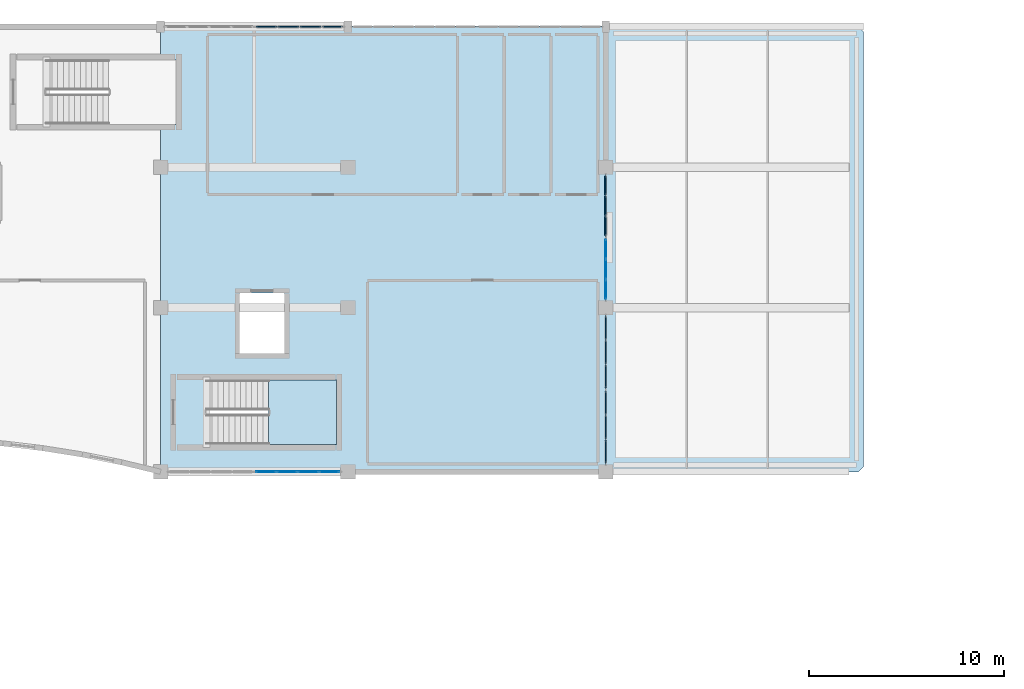
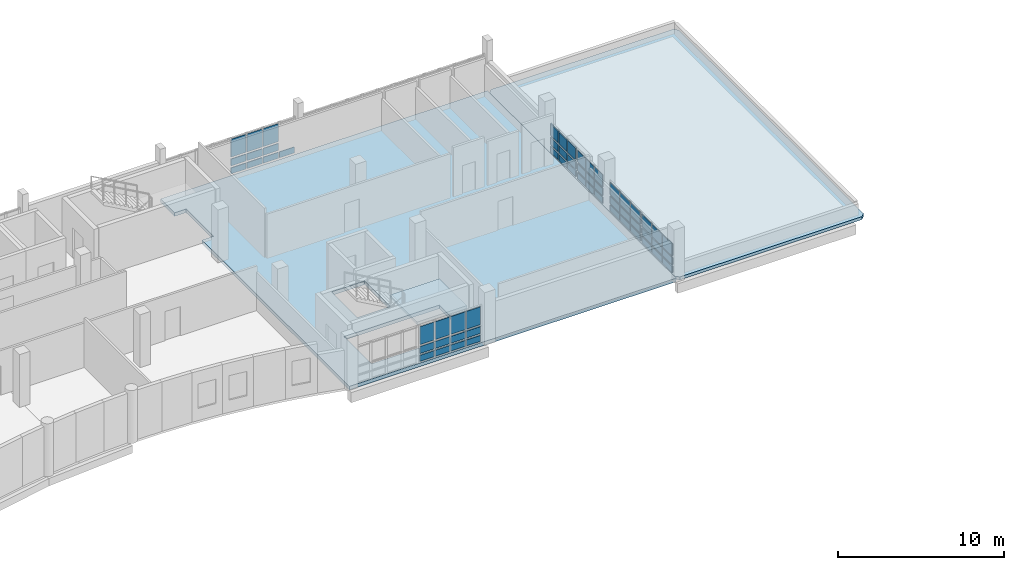
# One storey, part 168 of 188: 58 plates, 3 slabs, 7 elements without a shape of their own.
"""IFC4 building model written with IfcOpenShell, lengths in metres."""

from ifc_helpers import new_model, si_unit, direction, frame, origin, origin_2d, place, context, subcontext, project, spatial, polyline, rectangle, outline, extrude, material, layer, layer_set, type_object, element, aggregate, save


model = new_model("IFC4")

# Units and contexts
model_context = context("Model", 3, precision=1e-05, world=origin(), true_north=direction((0.0, 1.0)))
body_context = subcontext(model_context, "Body", "Model", "MODEL_VIEW")
ifc_project = project(units=[si_unit("LENGTHUNIT", "METRE"), si_unit("AREAUNIT", "SQUARE_METRE"), si_unit("VOLUMEUNIT", "CUBIC_METRE"), si_unit("PLANEANGLEUNIT", "RADIAN"), si_unit("MASSUNIT", "GRAM", prefix="KILO")], contexts=[model_context])

# Site, building, storey
site_placement = place(None, origin())
site = spatial("IfcSite", under=ifc_project, at=site_placement, CompositionType="ELEMENT")
building_placement = place(site_placement, origin())
building = spatial("IfcBuilding", under=site, at=building_placement, Name="Kisaragi Civic Commons", CompositionType="ELEMENT")
storey_placement = place(building_placement, frame((0.0, 0.0, 9.60009765625)))
storey = spatial("IfcBuildingStorey", under=building, at=storey_placement, Name="L02", CompositionType="ELEMENT", Elevation=9.60009765625)

# Curtain wall, plates
ifc_material_1 = material(Name="Thermally broken anodized aluminium and low-E double glazing", Category="aluminium")
ifc_layer_1 = layer(ifc_material_1, 0.179931640625, Name="Thermally broken anodized aluminium and low-E double glazing", Category="aluminium")
ifc_layer_set_1 = layer_set([ifc_layer_1], Name="Thermally broken anodized aluminium and low-E double glazing")
curtain_wall_type = type_object("IfcCurtainWallType", Name="CW-01", PredefinedType="NOTDEFINED", material=ifc_layer_set_1)
curtain_wall_1_placement = place(storey_placement, origin())
curtain_wall_1 = element("IfcCurtainWall", 1, at=curtain_wall_1_placement, inside=storey, type_object=curtain_wall_type, Name="L02 curtain wall CW-01 CW-V4-L02-090", PredefinedType="NOTDEFINED")
ifc_layer_2 = layer(ifc_material_1, 0.0439453125, Name="Thermally broken anodized aluminium and low-E double glazing", Category="aluminium")
ifc_layer_set_2 = layer_set([ifc_layer_2], Name="Thermally broken anodized aluminium and low-E double glazing")
plate_type_1 = type_object("IfcPlateType", Name="CWP-01", PredefinedType="CURTAIN_PANEL", material=ifc_layer_set_2)
plate_1_placement = place(storey_placement, frame((146.39990234375, 107.41552734375, 0.139892578125), z_axis=(0.0, 0.0, 1.0), x_axis=(0.0, -1.0, 0.0)))
plate_1 = element("IfcPlate", 2, at=plate_1_placement, type_object=plate_type_1, Name="CW-01 panel 1.1", PredefinedType="CURTAIN_PANEL", context=body_context, shape_type="SweptSolid", body=[
    extrude(rectangle(XDim=0.959228515625, YDim=0.0439453125, at=origin_2d()), origin(), (0.0, 0.0, 1.0), 0.43994140625),
])
plate_2_placement = place(storey_placement, frame((146.39990234375, 107.41552734375, 0.7197265625), z_axis=(0.0, 0.0, 1.0), x_axis=(0.0, -1.0, 0.0)))
plate_2 = element("IfcPlate", 3, at=plate_2_placement, type_object=plate_type_1, Name="CW-01 panel 1.2", PredefinedType="CURTAIN_PANEL", context=body_context, shape_type="SweptSolid", body=[
    extrude(rectangle(XDim=0.959228515625, YDim=0.0439453125, at=origin_2d()), origin(), (0.0, 0.0, 1.0), 0.510009765625),
])
plate_3_placement = place(storey_placement, frame((146.39990234375, 107.41552734375, 1.369873046875), z_axis=(0.0, 0.0, 1.0), x_axis=(0.0, -1.0, 0.0)))
plate_3 = element("IfcPlate", 4, at=plate_3_placement, type_object=plate_type_1, Name="CW-01 panel 1.3", PredefinedType="CURTAIN_PANEL", context=body_context, shape_type="SweptSolid", body=[
    extrude(rectangle(XDim=0.959228515625, YDim=0.0439453125, at=origin_2d()), origin(), (0.0, 0.0, 1.0), 0.8701171875),
])
plate_4_placement = place(storey_placement, frame((146.39990234375, 106.375, 0.139892578125), z_axis=(0.0, 0.0, 1.0), x_axis=(0.0, -1.0, 0.0)))
plate_4 = element("IfcPlate", 5, at=plate_4_placement, type_object=plate_type_1, Name="CW-01 panel 2.1", PredefinedType="CURTAIN_PANEL", context=body_context, shape_type="SweptSolid", body=[
    extrude(rectangle(XDim=0.99169921875, YDim=0.0439453125, at=origin_2d()), origin(), (0.0, 0.0, 1.0), 0.43994140625),
])
plate_5_placement = place(storey_placement, frame((146.39990234375, 106.375, 0.7197265625), z_axis=(0.0, 0.0, 1.0), x_axis=(0.0, -1.0, 0.0)))
plate_5 = element("IfcPlate", 6, at=plate_5_placement, type_object=plate_type_1, Name="CW-01 panel 2.2", PredefinedType="CURTAIN_PANEL", context=body_context, shape_type="SweptSolid", body=[
    extrude(rectangle(XDim=0.99169921875, YDim=0.0439453125, at=origin_2d()), origin(), (0.0, 0.0, 1.0), 0.510009765625),
])
plate_6_placement = place(storey_placement, frame((146.39990234375, 106.375, 1.369873046875), z_axis=(0.0, 0.0, 1.0), x_axis=(0.0, -1.0, 0.0)))
plate_6 = element("IfcPlate", 7, at=plate_6_placement, type_object=plate_type_1, Name="CW-01 panel 2.3", PredefinedType="CURTAIN_PANEL", context=body_context, shape_type="SweptSolid", body=[
    extrude(rectangle(XDim=0.99169921875, YDim=0.0439453125, at=origin_2d()), origin(), (0.0, 0.0, 1.0), 0.8701171875),
])
plate_7_placement = place(storey_placement, frame((146.39990234375, 105.33447265625, 0.139892578125), z_axis=(0.0, 0.0, 1.0), x_axis=(0.0, -1.0, 0.0)))
plate_7 = element("IfcPlate", 8, at=plate_7_placement, type_object=plate_type_1, Name="CW-01 panel 3.1", PredefinedType="CURTAIN_PANEL", context=body_context, shape_type="SweptSolid", body=[
    extrude(rectangle(XDim=0.959228515625, YDim=0.0439453125, at=origin_2d()), origin(), (0.0, 0.0, 1.0), 0.43994140625),
])
plate_8_placement = place(storey_placement, frame((146.39990234375, 105.33447265625, 0.7197265625), z_axis=(0.0, 0.0, 1.0), x_axis=(0.0, -1.0, 0.0)))
plate_8 = element("IfcPlate", 9, at=plate_8_placement, type_object=plate_type_1, Name="CW-01 panel 3.2", PredefinedType="CURTAIN_PANEL", context=body_context, shape_type="SweptSolid", body=[
    extrude(rectangle(XDim=0.959228515625, YDim=0.0439453125, at=origin_2d()), origin(), (0.0, 0.0, 1.0), 0.510009765625),
])
plate_9_placement = place(storey_placement, frame((146.39990234375, 105.33447265625, 1.369873046875), z_axis=(0.0, 0.0, 1.0), x_axis=(0.0, -1.0, 0.0)))
plate_9 = element("IfcPlate", 10, at=plate_9_placement, type_object=plate_type_1, Name="CW-01 panel 3.3", PredefinedType="CURTAIN_PANEL", context=body_context, shape_type="SweptSolid", body=[
    extrude(rectangle(XDim=0.959228515625, YDim=0.0439453125, at=origin_2d()), origin(), (0.0, 0.0, 1.0), 0.8701171875),
])
aggregate(curtain_wall_1, [plate_1, plate_2, plate_3, plate_4, plate_5, plate_6, plate_7, plate_8, plate_9])

curtain_wall_2_placement = place(storey_placement, origin())
curtain_wall_2 = element("IfcCurtainWall", 11, at=curtain_wall_2_placement, inside=storey, type_object=curtain_wall_type, Name="L02 curtain wall CW-01 CW-V4-L02-091", PredefinedType="NOTDEFINED")
ifc_layer_3 = layer(ifc_material_1, 0.052001953125, Name="Thermally broken anodized aluminium and low-E double glazing", Category="aluminium")
ifc_layer_set_3 = layer_set([ifc_layer_3], Name="Thermally broken anodized aluminium and low-E double glazing")
plate_type_2 = type_object("IfcPlateType", Name="CWP-02", PredefinedType="CURTAIN_PANEL", material=ifc_layer_set_3)
plate_10_placement = place(storey_placement, frame((146.39990234375, 103.365478515625, 0.139892578125), z_axis=(0.0, 0.0, 1.0), x_axis=(0.0, -1.0, 0.0)))
plate_10 = element("IfcPlate", 12, at=plate_10_placement, type_object=plate_type_2, Name="CW-01 panel 1.1", PredefinedType="CURTAIN_PANEL", context=body_context, shape_type="SweptSolid", body=[
    extrude(rectangle(XDim=1.1591796875, YDim=0.052001953125, at=origin_2d()), origin(), (0.0, 0.0, 1.0), 0.43994140625),
])
plate_11_placement = place(storey_placement, frame((146.39990234375, 103.365478515625, 0.7197265625), z_axis=(0.0, 0.0, 1.0), x_axis=(0.0, -1.0, 0.0)))
plate_11 = element("IfcPlate", 13, at=plate_11_placement, type_object=plate_type_2, Name="CW-01 panel 1.2", PredefinedType="CURTAIN_PANEL", context=body_context, shape_type="SweptSolid", body=[
    extrude(rectangle(XDim=1.1591796875, YDim=0.052001953125, at=origin_2d()), origin(), (0.0, 0.0, 1.0), 0.510009765625),
])
plate_12_placement = place(storey_placement, frame((146.39990234375, 103.365478515625, 1.369873046875), z_axis=(0.0, 0.0, 1.0), x_axis=(0.0, -1.0, 0.0)))
plate_12 = element("IfcPlate", 14, at=plate_12_placement, type_object=plate_type_2, Name="CW-01 panel 1.3", PredefinedType="CURTAIN_PANEL", context=body_context, shape_type="SweptSolid", body=[
    extrude(rectangle(XDim=1.1591796875, YDim=0.052001953125, at=origin_2d()), origin(), (0.0, 0.0, 1.0), 0.8701171875),
])
plate_13_placement = place(storey_placement, frame((146.39990234375, 102.125, 0.139892578125), z_axis=(0.0, 0.0, 1.0), x_axis=(0.0, -1.0, 0.0)))
plate_13 = element("IfcPlate", 15, at=plate_13_placement, type_object=plate_type_2, Name="CW-01 panel 2.1", PredefinedType="CURTAIN_PANEL", context=body_context, shape_type="SweptSolid", body=[
    extrude(rectangle(XDim=1.191650390625, YDim=0.052001953125, at=origin_2d()), origin(), (0.0, 0.0, 1.0), 0.43994140625),
])
plate_14_placement = place(storey_placement, frame((146.39990234375, 102.125, 0.7197265625), z_axis=(0.0, 0.0, 1.0), x_axis=(0.0, -1.0, 0.0)))
plate_14 = element("IfcPlate", 16, at=plate_14_placement, type_object=plate_type_2, Name="CW-01 panel 2.2", PredefinedType="CURTAIN_PANEL", context=body_context, shape_type="SweptSolid", body=[
    extrude(rectangle(XDim=1.191650390625, YDim=0.052001953125, at=origin_2d()), origin(), (0.0, 0.0, 1.0), 0.510009765625),
])
plate_15_placement = place(storey_placement, frame((146.39990234375, 102.125, 1.369873046875), z_axis=(0.0, 0.0, 1.0), x_axis=(0.0, -1.0, 0.0)))
plate_15 = element("IfcPlate", 17, at=plate_15_placement, type_object=plate_type_2, Name="CW-01 panel 2.3", PredefinedType="CURTAIN_PANEL", context=body_context, shape_type="SweptSolid", body=[
    extrude(rectangle(XDim=1.191650390625, YDim=0.052001953125, at=origin_2d()), origin(), (0.0, 0.0, 1.0), 0.8701171875),
])
plate_16_placement = place(storey_placement, frame((146.39990234375, 100.884521484375, 0.139892578125), z_axis=(0.0, 0.0, 1.0), x_axis=(0.0, -1.0, 0.0)))
plate_16 = element("IfcPlate", 18, at=plate_16_placement, type_object=plate_type_2, Name="CW-01 panel 3.1", PredefinedType="CURTAIN_PANEL", context=body_context, shape_type="SweptSolid", body=[
    extrude(rectangle(XDim=1.1591796875, YDim=0.052001953125, at=origin_2d()), origin(), (0.0, 0.0, 1.0), 0.43994140625),
])
plate_17_placement = place(storey_placement, frame((146.39990234375, 100.884521484375, 0.7197265625), z_axis=(0.0, 0.0, 1.0), x_axis=(0.0, -1.0, 0.0)))
plate_17 = element("IfcPlate", 19, at=plate_17_placement, type_object=plate_type_2, Name="CW-01 panel 3.2", PredefinedType="CURTAIN_PANEL", context=body_context, shape_type="SweptSolid", body=[
    extrude(rectangle(XDim=1.1591796875, YDim=0.052001953125, at=origin_2d()), origin(), (0.0, 0.0, 1.0), 0.510009765625),
])
plate_18_placement = place(storey_placement, frame((146.39990234375, 100.884521484375, 1.369873046875), z_axis=(0.0, 0.0, 1.0), x_axis=(0.0, -1.0, 0.0)))
plate_18 = element("IfcPlate", 20, at=plate_18_placement, type_object=plate_type_2, Name="CW-01 panel 3.3", PredefinedType="CURTAIN_PANEL", context=body_context, shape_type="SweptSolid", body=[
    extrude(rectangle(XDim=1.1591796875, YDim=0.052001953125, at=origin_2d()), origin(), (0.0, 0.0, 1.0), 0.8701171875),
])
aggregate(curtain_wall_2, [plate_10, plate_11, plate_12, plate_13, plate_14, plate_15, plate_16, plate_17, plate_18])

curtain_wall_3_placement = place(storey_placement, origin())
curtain_wall_3 = element("IfcCurtainWall", 21, at=curtain_wall_3_placement, inside=storey, type_object=curtain_wall_type, Name="L02 curtain wall CW-01 CW-V4-L02-092", PredefinedType="NOTDEFINED")
ifc_layer_4 = layer(ifc_material_1, 0.06396484375, Name="Thermally broken anodized aluminium and low-E double glazing", Category="aluminium")
ifc_layer_set_4 = layer_set([ifc_layer_4], Name="Thermally broken anodized aluminium and low-E double glazing")
plate_type_3 = type_object("IfcPlateType", Name="CWP-04", PredefinedType="CURTAIN_PANEL", material=ifc_layer_set_4)
plate_19_placement = place(storey_placement, frame((146.39990234375, 99.515380859375, 0.139892578125), z_axis=(0.0, 0.0, 1.0), x_axis=(0.0, -1.0, 0.0)))
plate_19 = element("IfcPlate", 22, at=plate_19_placement, type_object=plate_type_3, Name="CW-01 panel 1.1", PredefinedType="CURTAIN_PANEL", context=body_context, shape_type="SweptSolid", body=[
    extrude(rectangle(XDim=1.1591796875, YDim=0.06396484375, at=origin_2d()), origin(), (0.0, 0.0, 1.0), 0.43994140625),
])
plate_20_placement = place(storey_placement, frame((146.39990234375, 99.515380859375, 0.7197265625), z_axis=(0.0, 0.0, 1.0), x_axis=(0.0, -1.0, 0.0)))
plate_20 = element("IfcPlate", 23, at=plate_20_placement, type_object=plate_type_3, Name="CW-01 panel 1.2", PredefinedType="CURTAIN_PANEL", context=body_context, shape_type="SweptSolid", body=[
    extrude(rectangle(XDim=1.1591796875, YDim=0.06396484375, at=origin_2d()), origin(), (0.0, 0.0, 1.0), 0.510009765625),
])
plate_21_placement = place(storey_placement, frame((146.39990234375, 99.515380859375, 1.369873046875), z_axis=(0.0, 0.0, 1.0), x_axis=(0.0, -1.0, 0.0)))
plate_21 = element("IfcPlate", 24, at=plate_21_placement, type_object=plate_type_3, Name="CW-01 panel 1.3", PredefinedType="CURTAIN_PANEL", context=body_context, shape_type="SweptSolid", body=[
    extrude(rectangle(XDim=1.1591796875, YDim=0.06396484375, at=origin_2d()), origin(), (0.0, 0.0, 1.0), 0.8701171875),
])
plate_22_placement = place(storey_placement, frame((146.39990234375, 98.27490234375, 0.139892578125), z_axis=(0.0, 0.0, 1.0), x_axis=(0.0, -1.0, 0.0)))
plate_22 = element("IfcPlate", 25, at=plate_22_placement, type_object=plate_type_3, Name="CW-01 panel 2.1", PredefinedType="CURTAIN_PANEL", context=body_context, shape_type="SweptSolid", body=[
    extrude(rectangle(XDim=1.191650390625, YDim=0.06396484375, at=origin_2d()), origin(), (0.0, 0.0, 1.0), 0.43994140625),
])
plate_23_placement = place(storey_placement, frame((146.39990234375, 98.27490234375, 0.7197265625), z_axis=(0.0, 0.0, 1.0), x_axis=(0.0, -1.0, 0.0)))
plate_23 = element("IfcPlate", 26, at=plate_23_placement, type_object=plate_type_3, Name="CW-01 panel 2.2", PredefinedType="CURTAIN_PANEL", context=body_context, shape_type="SweptSolid", body=[
    extrude(rectangle(XDim=1.191650390625, YDim=0.06396484375, at=origin_2d()), origin(), (0.0, 0.0, 1.0), 0.510009765625),
])
plate_24_placement = place(storey_placement, frame((146.39990234375, 98.27490234375, 1.369873046875), z_axis=(0.0, 0.0, 1.0), x_axis=(0.0, -1.0, 0.0)))
plate_24 = element("IfcPlate", 27, at=plate_24_placement, type_object=plate_type_3, Name="CW-01 panel 2.3", PredefinedType="CURTAIN_PANEL", context=body_context, shape_type="SweptSolid", body=[
    extrude(rectangle(XDim=1.191650390625, YDim=0.06396484375, at=origin_2d()), origin(), (0.0, 0.0, 1.0), 0.8701171875),
])
plate_25_placement = place(storey_placement, frame((146.39990234375, 97.03466796875, 0.139892578125), z_axis=(0.0, 0.0, 1.0), x_axis=(0.0, -1.0, 0.0)))
plate_25 = element("IfcPlate", 28, at=plate_25_placement, type_object=plate_type_3, Name="CW-01 panel 3.1", PredefinedType="CURTAIN_PANEL", context=body_context, shape_type="SweptSolid", body=[
    extrude(rectangle(XDim=1.1591796875, YDim=0.06396484375, at=origin_2d()), origin(), (0.0, 0.0, 1.0), 0.43994140625),
])
plate_26_placement = place(storey_placement, frame((146.39990234375, 97.03466796875, 0.7197265625), z_axis=(0.0, 0.0, 1.0), x_axis=(0.0, -1.0, 0.0)))
plate_26 = element("IfcPlate", 29, at=plate_26_placement, type_object=plate_type_3, Name="CW-01 panel 3.2", PredefinedType="CURTAIN_PANEL", context=body_context, shape_type="SweptSolid", body=[
    extrude(rectangle(XDim=1.1591796875, YDim=0.06396484375, at=origin_2d()), origin(), (0.0, 0.0, 1.0), 0.510009765625),
])
plate_27_placement = place(storey_placement, frame((146.39990234375, 97.03466796875, 1.369873046875), z_axis=(0.0, 0.0, 1.0), x_axis=(0.0, -1.0, 0.0)))
plate_27 = element("IfcPlate", 30, at=plate_27_placement, type_object=plate_type_3, Name="CW-01 panel 3.3", PredefinedType="CURTAIN_PANEL", context=body_context, shape_type="SweptSolid", body=[
    extrude(rectangle(XDim=1.1591796875, YDim=0.06396484375, at=origin_2d()), origin(), (0.0, 0.0, 1.0), 0.8701171875),
])
aggregate(curtain_wall_3, [plate_19, plate_20, plate_21, plate_22, plate_23, plate_24, plate_25, plate_26, plate_27])

curtain_wall_4_placement = place(storey_placement, origin())
curtain_wall_4 = element("IfcCurtainWall", 31, at=curtain_wall_4_placement, inside=storey, type_object=curtain_wall_type, Name="L02 curtain wall CW-01 CW-V4-L02-093", PredefinedType="NOTDEFINED")
ifc_layer_5 = layer(ifc_material_1, 0.048095703125, Name="Thermally broken anodized aluminium and low-E double glazing", Category="aluminium")
ifc_layer_set_5 = layer_set([ifc_layer_5], Name="Thermally broken anodized aluminium and low-E double glazing")
plate_type_4 = type_object("IfcPlateType", Name="CWP-05", PredefinedType="CURTAIN_PANEL", material=ifc_layer_set_5)
plate_28_placement = place(storey_placement, frame((132.24755859375, 96.0, 0.139892578125), z_axis=(0.0, 0.0, 1.0), x_axis=(-1.0, 0.0, 0.0)))
plate_28 = element("IfcPlate", 32, at=plate_28_placement, type_object=plate_type_4, Name="CW-01 panel 1.1", PredefinedType="CURTAIN_PANEL", context=body_context, shape_type="SweptSolid", body=[
    extrude(rectangle(XDim=0.9951171875, YDim=0.048095703125, at=origin_2d()), origin(), (0.0, 0.0, 1.0), 0.43994140625),
])
plate_29_placement = place(storey_placement, frame((132.24755859375, 96.0, 0.7197265625), z_axis=(0.0, 0.0, 1.0), x_axis=(-1.0, 0.0, 0.0)))
plate_29 = element("IfcPlate", 33, at=plate_29_placement, type_object=plate_type_4, Name="CW-01 panel 1.2", PredefinedType="CURTAIN_PANEL", context=body_context, shape_type="SweptSolid", body=[
    extrude(rectangle(XDim=0.9951171875, YDim=0.048095703125, at=origin_2d()), origin(), (0.0, 0.0, 1.0), 0.510009765625),
])
plate_30_placement = place(storey_placement, frame((132.24755859375, 96.0, 1.36962890625), z_axis=(0.0, 0.0, 1.0), x_axis=(-1.0, 0.0, 0.0)))
plate_30 = element("IfcPlate", 34, at=plate_30_placement, type_object=plate_type_4, Name="CW-01 panel 1.3", PredefinedType="CURTAIN_PANEL", context=body_context, shape_type="SweptSolid", body=[
    extrude(rectangle(XDim=0.9951171875, YDim=0.048095703125, at=origin_2d()), origin(), (0.0, 0.0, 1.0), 1.320068359375),
])
plate_31_placement = place(storey_placement, frame((131.171142578125, 96.0, 0.139892578125), z_axis=(0.0, 0.0, 1.0), x_axis=(-1.0, 0.0, 0.0)))
plate_31 = element("IfcPlate", 35, at=plate_31_placement, type_object=plate_type_4, Name="CW-01 panel 2.1", PredefinedType="CURTAIN_PANEL", context=body_context, shape_type="SweptSolid", body=[
    extrude(rectangle(XDim=1.027587890625, YDim=0.048095703125, at=origin_2d()), origin(), (0.0, 0.0, 1.0), 0.43994140625),
])
plate_32_placement = place(storey_placement, frame((131.171142578125, 96.0, 0.7197265625), z_axis=(0.0, 0.0, 1.0), x_axis=(-1.0, 0.0, 0.0)))
plate_32 = element("IfcPlate", 36, at=plate_32_placement, type_object=plate_type_4, Name="CW-01 panel 2.2", PredefinedType="CURTAIN_PANEL", context=body_context, shape_type="SweptSolid", body=[
    extrude(rectangle(XDim=1.027587890625, YDim=0.048095703125, at=origin_2d()), origin(), (0.0, 0.0, 1.0), 0.510009765625),
])
plate_33_placement = place(storey_placement, frame((131.171142578125, 96.0, 1.36962890625), z_axis=(0.0, 0.0, 1.0), x_axis=(-1.0, 0.0, 0.0)))
plate_33 = element("IfcPlate", 37, at=plate_33_placement, type_object=plate_type_4, Name="CW-01 panel 2.3", PredefinedType="CURTAIN_PANEL", context=body_context, shape_type="SweptSolid", body=[
    extrude(rectangle(XDim=1.027587890625, YDim=0.048095703125, at=origin_2d()), origin(), (0.0, 0.0, 1.0), 1.320068359375),
])
plate_34_placement = place(storey_placement, frame((130.078857421875, 96.0, 0.139892578125), z_axis=(0.0, 0.0, 1.0), x_axis=(-1.0, 0.0, 0.0)))
plate_34 = element("IfcPlate", 38, at=plate_34_placement, type_object=plate_type_4, Name="CW-01 panel 3.1", PredefinedType="CURTAIN_PANEL", context=body_context, shape_type="SweptSolid", body=[
    extrude(rectangle(XDim=1.027587890625, YDim=0.048095703125, at=origin_2d()), origin(), (0.0, 0.0, 1.0), 0.43994140625),
])
plate_35_placement = place(storey_placement, frame((130.078857421875, 96.0, 0.7197265625), z_axis=(0.0, 0.0, 1.0), x_axis=(-1.0, 0.0, 0.0)))
plate_35 = element("IfcPlate", 39, at=plate_35_placement, type_object=plate_type_4, Name="CW-01 panel 3.2", PredefinedType="CURTAIN_PANEL", context=body_context, shape_type="SweptSolid", body=[
    extrude(rectangle(XDim=1.027587890625, YDim=0.048095703125, at=origin_2d()), origin(), (0.0, 0.0, 1.0), 0.510009765625),
])
plate_36_placement = place(storey_placement, frame((130.078857421875, 96.0, 1.36962890625), z_axis=(0.0, 0.0, 1.0), x_axis=(-1.0, 0.0, 0.0)))
plate_36 = element("IfcPlate", 40, at=plate_36_placement, type_object=plate_type_4, Name="CW-01 panel 3.3", PredefinedType="CURTAIN_PANEL", context=body_context, shape_type="SweptSolid", body=[
    extrude(rectangle(XDim=1.027587890625, YDim=0.048095703125, at=origin_2d()), origin(), (0.0, 0.0, 1.0), 1.320068359375),
])
plate_37_placement = place(storey_placement, frame((129.00244140625, 96.0, 0.139892578125), z_axis=(0.0, 0.0, 1.0), x_axis=(-1.0, 0.0, 0.0)))
plate_37 = element("IfcPlate", 41, at=plate_37_placement, type_object=plate_type_4, Name="CW-01 panel 4.1", PredefinedType="CURTAIN_PANEL", context=body_context, shape_type="SweptSolid", body=[
    extrude(rectangle(XDim=0.9951171875, YDim=0.048095703125, at=origin_2d()), origin(), (0.0, 0.0, 1.0), 0.43994140625),
])
plate_38_placement = place(storey_placement, frame((129.00244140625, 96.0, 0.7197265625), z_axis=(0.0, 0.0, 1.0), x_axis=(-1.0, 0.0, 0.0)))
plate_38 = element("IfcPlate", 42, at=plate_38_placement, type_object=plate_type_4, Name="CW-01 panel 4.2", PredefinedType="CURTAIN_PANEL", context=body_context, shape_type="SweptSolid", body=[
    extrude(rectangle(XDim=0.9951171875, YDim=0.048095703125, at=origin_2d()), origin(), (0.0, 0.0, 1.0), 0.510009765625),
])
plate_39_placement = place(storey_placement, frame((129.00244140625, 96.0, 1.36962890625), z_axis=(0.0, 0.0, 1.0), x_axis=(-1.0, 0.0, 0.0)))
plate_39 = element("IfcPlate", 43, at=plate_39_placement, type_object=plate_type_4, Name="CW-01 panel 4.3", PredefinedType="CURTAIN_PANEL", context=body_context, shape_type="SweptSolid", body=[
    extrude(rectangle(XDim=0.9951171875, YDim=0.048095703125, at=origin_2d()), origin(), (0.0, 0.0, 1.0), 1.320068359375),
])
aggregate(curtain_wall_4, [plate_28, plate_29, plate_30, plate_31, plate_32, plate_33, plate_34, plate_35, plate_36, plate_37, plate_38, plate_39])

curtain_wall_5_placement = place(storey_placement, origin())
curtain_wall_5 = element("IfcCurtainWall", 44, at=curtain_wall_5_placement, inside=storey, type_object=curtain_wall_type, Name="L02 curtain wall CW-01 CW-V4-L02-086", PredefinedType="NOTDEFINED")
ifc_layer_6 = layer(ifc_material_1, 0.053955078125, Name="Thermally broken anodized aluminium and low-E double glazing", Category="aluminium")
ifc_layer_set_6 = layer_set([ifc_layer_6], Name="Thermally broken anodized aluminium and low-E double glazing")
plate_type_5 = type_object("IfcPlateType", Name="CWP-15", PredefinedType="CURTAIN_PANEL", material=ifc_layer_set_6)
plate_40_placement = place(storey_placement, frame((129.0244140625, 118.800048828125, 0.139892578125), z_axis=(0.0, 0.0, 1.0), x_axis=(1.0, 0.0, 0.0)))
plate_40 = element("IfcPlate", 45, at=plate_40_placement, type_object=plate_type_5, Name="CW-01 panel 1.1", PredefinedType="CURTAIN_PANEL", context=body_context, shape_type="SweptSolid", body=[
    extrude(rectangle(XDim=1.038818359375, YDim=0.053955078125, at=origin_2d()), origin(), (0.0, 0.0, 1.0), 0.43994140625),
])
plate_41_placement = place(storey_placement, frame((129.0244140625, 118.800048828125, 0.7197265625), z_axis=(0.0, 0.0, 1.0), x_axis=(1.0, 0.0, 0.0)))
plate_41 = element("IfcPlate", 46, at=plate_41_placement, type_object=plate_type_5, Name="CW-01 panel 1.2", PredefinedType="CURTAIN_PANEL", context=body_context, shape_type="SweptSolid", body=[
    extrude(rectangle(XDim=1.038818359375, YDim=0.053955078125, at=origin_2d()), origin(), (0.0, 0.0, 1.0), 0.510009765625),
])
plate_42_placement = place(storey_placement, frame((129.0244140625, 118.800048828125, 1.36962890625), z_axis=(0.0, 0.0, 1.0), x_axis=(1.0, 0.0, 0.0)))
plate_42 = element("IfcPlate", 47, at=plate_42_placement, type_object=plate_type_5, Name="CW-01 panel 1.3", PredefinedType="CURTAIN_PANEL", context=body_context, shape_type="SweptSolid", body=[
    extrude(rectangle(XDim=1.038818359375, YDim=0.053955078125, at=origin_2d()), origin(), (0.0, 0.0, 1.0), 1.320068359375),
])
plate_43_placement = place(storey_placement, frame((130.144287109375, 118.800048828125, 0.139892578125), z_axis=(0.0, 0.0, 1.0), x_axis=(1.0, 0.0, 0.0)))
plate_43 = element("IfcPlate", 48, at=plate_43_placement, type_object=plate_type_5, Name="CW-01 panel 2.1", PredefinedType="CURTAIN_PANEL", context=body_context, shape_type="SweptSolid", body=[
    extrude(rectangle(XDim=1.0712890625, YDim=0.053955078125, at=origin_2d()), origin(), (0.0, 0.0, 1.0), 0.43994140625),
])
plate_44_placement = place(storey_placement, frame((130.144287109375, 118.800048828125, 0.7197265625), z_axis=(0.0, 0.0, 1.0), x_axis=(1.0, 0.0, 0.0)))
plate_44 = element("IfcPlate", 49, at=plate_44_placement, type_object=plate_type_5, Name="CW-01 panel 2.2", PredefinedType="CURTAIN_PANEL", context=body_context, shape_type="SweptSolid", body=[
    extrude(rectangle(XDim=1.0712890625, YDim=0.053955078125, at=origin_2d()), origin(), (0.0, 0.0, 1.0), 0.510009765625),
])
plate_45_placement = place(storey_placement, frame((130.144287109375, 118.800048828125, 1.36962890625), z_axis=(0.0, 0.0, 1.0), x_axis=(1.0, 0.0, 0.0)))
plate_45 = element("IfcPlate", 50, at=plate_45_placement, type_object=plate_type_5, Name="CW-01 panel 2.3", PredefinedType="CURTAIN_PANEL", context=body_context, shape_type="SweptSolid", body=[
    extrude(rectangle(XDim=1.0712890625, YDim=0.053955078125, at=origin_2d()), origin(), (0.0, 0.0, 1.0), 1.320068359375),
])
plate_46_placement = place(storey_placement, frame((131.280517578125, 118.800048828125, 0.139892578125), z_axis=(0.0, 0.0, 1.0), x_axis=(1.0, 0.0, 0.0)))
plate_46 = element("IfcPlate", 51, at=plate_46_placement, type_object=plate_type_5, Name="CW-01 panel 3.1", PredefinedType="CURTAIN_PANEL", context=body_context, shape_type="SweptSolid", body=[
    extrude(rectangle(XDim=1.0712890625, YDim=0.053955078125, at=origin_2d()), origin(), (0.0, 0.0, 1.0), 0.43994140625),
])
plate_47_placement = place(storey_placement, frame((131.280517578125, 118.800048828125, 0.7197265625), z_axis=(0.0, 0.0, 1.0), x_axis=(1.0, 0.0, 0.0)))
plate_47 = element("IfcPlate", 52, at=plate_47_placement, type_object=plate_type_5, Name="CW-01 panel 3.2", PredefinedType="CURTAIN_PANEL", context=body_context, shape_type="SweptSolid", body=[
    extrude(rectangle(XDim=1.0712890625, YDim=0.053955078125, at=origin_2d()), origin(), (0.0, 0.0, 1.0), 0.510009765625),
])
plate_48_placement = place(storey_placement, frame((131.280517578125, 118.800048828125, 1.36962890625), z_axis=(0.0, 0.0, 1.0), x_axis=(1.0, 0.0, 0.0)))
plate_48 = element("IfcPlate", 53, at=plate_48_placement, type_object=plate_type_5, Name="CW-01 panel 3.3", PredefinedType="CURTAIN_PANEL", context=body_context, shape_type="SweptSolid", body=[
    extrude(rectangle(XDim=1.0712890625, YDim=0.053955078125, at=origin_2d()), origin(), (0.0, 0.0, 1.0), 1.320068359375),
])
plate_49_placement = place(storey_placement, frame((132.400634765625, 118.800048828125, 0.139892578125), z_axis=(0.0, 0.0, 1.0), x_axis=(1.0, 0.0, 0.0)))
plate_49 = element("IfcPlate", 54, at=plate_49_placement, type_object=plate_type_5, Name="CW-01 panel 4.1", PredefinedType="CURTAIN_PANEL", context=body_context, shape_type="SweptSolid", body=[
    extrude(rectangle(XDim=1.038818359375, YDim=0.053955078125, at=origin_2d()), origin(), (0.0, 0.0, 1.0), 0.43994140625),
])
aggregate(curtain_wall_5, [plate_40, plate_41, plate_42, plate_43, plate_44, plate_45, plate_46, plate_47, plate_48, plate_49])

curtain_wall_6_placement = place(storey_placement, origin())
curtain_wall_6 = element("IfcCurtainWall", 55, at=curtain_wall_6_placement, inside=storey, type_object=curtain_wall_type, Name="L02 curtain wall CW-01 CW-V4-L02-089", PredefinedType="NOTDEFINED")
ifc_layer_7 = layer(ifc_material_1, 0.077880859375, Name="Thermally broken anodized aluminium and low-E double glazing", Category="aluminium")
ifc_layer_set_7 = layer_set([ifc_layer_7], Name="Thermally broken anodized aluminium and low-E double glazing")
plate_type_6 = type_object("IfcPlateType", Name="CWP-18", PredefinedType="CURTAIN_PANEL", material=ifc_layer_set_7)
plate_50_placement = place(storey_placement, frame((146.39990234375, 110.66552734375, 0.139892578125), z_axis=(0.0, 0.0, 1.0), x_axis=(0.0, -1.0, 0.0)))
plate_50 = element("IfcPlate", 56, at=plate_50_placement, type_object=plate_type_6, Name="CW-01 panel 1.1", PredefinedType="CURTAIN_PANEL", context=body_context, shape_type="SweptSolid", body=[
    extrude(rectangle(XDim=0.959228515625, YDim=0.077880859375, at=origin_2d()), origin(), (0.0, 0.0, 1.0), 0.43994140625),
])
plate_51_placement = place(storey_placement, frame((146.39990234375, 110.66552734375, 0.7197265625), z_axis=(0.0, 0.0, 1.0), x_axis=(0.0, -1.0, 0.0)))
plate_51 = element("IfcPlate", 57, at=plate_51_placement, type_object=plate_type_6, Name="CW-01 panel 1.2", PredefinedType="CURTAIN_PANEL", context=body_context, shape_type="SweptSolid", body=[
    extrude(rectangle(XDim=0.959228515625, YDim=0.077880859375, at=origin_2d()), origin(), (0.0, 0.0, 1.0), 0.510009765625),
])
plate_52_placement = place(storey_placement, frame((146.39990234375, 110.66552734375, 1.369873046875), z_axis=(0.0, 0.0, 1.0), x_axis=(0.0, -1.0, 0.0)))
plate_52 = element("IfcPlate", 58, at=plate_52_placement, type_object=plate_type_6, Name="CW-01 panel 1.3", PredefinedType="CURTAIN_PANEL", context=body_context, shape_type="SweptSolid", body=[
    extrude(rectangle(XDim=0.959228515625, YDim=0.077880859375, at=origin_2d()), origin(), (0.0, 0.0, 1.0), 0.8701171875),
])
plate_53_placement = place(storey_placement, frame((146.39990234375, 109.625, 0.139892578125), z_axis=(0.0, 0.0, 1.0), x_axis=(0.0, -1.0, 0.0)))
plate_53 = element("IfcPlate", 59, at=plate_53_placement, type_object=plate_type_6, Name="CW-01 panel 2.1", PredefinedType="CURTAIN_PANEL", context=body_context, shape_type="SweptSolid", body=[
    extrude(rectangle(XDim=0.99169921875, YDim=0.077880859375, at=origin_2d()), origin(), (0.0, 0.0, 1.0), 0.43994140625),
])
plate_54_placement = place(storey_placement, frame((146.39990234375, 109.625, 0.7197265625), z_axis=(0.0, 0.0, 1.0), x_axis=(0.0, -1.0, 0.0)))
plate_54 = element("IfcPlate", 60, at=plate_54_placement, type_object=plate_type_6, Name="CW-01 panel 2.2", PredefinedType="CURTAIN_PANEL", context=body_context, shape_type="SweptSolid", body=[
    extrude(rectangle(XDim=0.99169921875, YDim=0.077880859375, at=origin_2d()), origin(), (0.0, 0.0, 1.0), 0.510009765625),
])
plate_55_placement = place(storey_placement, frame((146.39990234375, 109.625, 1.369873046875), z_axis=(0.0, 0.0, 1.0), x_axis=(0.0, -1.0, 0.0)))
plate_55 = element("IfcPlate", 61, at=plate_55_placement, type_object=plate_type_6, Name="CW-01 panel 2.3", PredefinedType="CURTAIN_PANEL", context=body_context, shape_type="SweptSolid", body=[
    extrude(rectangle(XDim=0.99169921875, YDim=0.077880859375, at=origin_2d()), origin(), (0.0, 0.0, 1.0), 0.8701171875),
])
plate_56_placement = place(storey_placement, frame((146.39990234375, 108.58447265625, 0.139892578125), z_axis=(0.0, 0.0, 1.0), x_axis=(0.0, -1.0, 0.0)))
plate_56 = element("IfcPlate", 62, at=plate_56_placement, type_object=plate_type_6, Name="CW-01 panel 3.1", PredefinedType="CURTAIN_PANEL", context=body_context, shape_type="SweptSolid", body=[
    extrude(rectangle(XDim=0.959228515625, YDim=0.077880859375, at=origin_2d()), origin(), (0.0, 0.0, 1.0), 0.43994140625),
])
plate_57_placement = place(storey_placement, frame((146.39990234375, 108.58447265625, 0.7197265625), z_axis=(0.0, 0.0, 1.0), x_axis=(0.0, -1.0, 0.0)))
plate_57 = element("IfcPlate", 63, at=plate_57_placement, type_object=plate_type_6, Name="CW-01 panel 3.2", PredefinedType="CURTAIN_PANEL", context=body_context, shape_type="SweptSolid", body=[
    extrude(rectangle(XDim=0.959228515625, YDim=0.077880859375, at=origin_2d()), origin(), (0.0, 0.0, 1.0), 0.510009765625),
])
plate_58_placement = place(storey_placement, frame((146.39990234375, 108.58447265625, 1.369873046875), z_axis=(0.0, 0.0, 1.0), x_axis=(0.0, -1.0, 0.0)))
plate_58 = element("IfcPlate", 64, at=plate_58_placement, type_object=plate_type_6, Name="CW-01 panel 3.3", PredefinedType="CURTAIN_PANEL", context=body_context, shape_type="SweptSolid", body=[
    extrude(rectangle(XDim=0.959228515625, YDim=0.077880859375, at=origin_2d()), origin(), (0.0, 0.0, 1.0), 0.8701171875),
])
aggregate(curtain_wall_6, [plate_50, plate_51, plate_52, plate_53, plate_54, plate_55, plate_56, plate_57, plate_58])

# Slabs
ifc_material_2 = material(Name="Concrete Fc30", Category="concrete")
ifc_layer_8 = layer(ifc_material_2, 0.260009765625, Name="Concrete Fc30", Category="concrete")
ifc_layer_set_8 = layer_set([ifc_layer_8], Name="Concrete Fc30")
slab_type_1 = type_object("IfcSlabType", Name="SL-F2", PredefinedType="FLOOR", material=ifc_layer_set_8)
slab_1_placement = place(storey_placement, frame((0.0, 0.0, -0.260009765625)))
element("IfcSlab", 65, at=slab_1_placement, inside=storey, type_object=slab_type_1, Name="V4 L02 slab SL-F2 49", PredefinedType="FLOOR", context=body_context, shape_type="SweptSolid", body=[
    extrude(outline(polyline([(123.60009765625, 118.800048828125), (123.60009765625, 117.10009765625), (124.39990234375, 117.10009765625), (124.39990234375, 113.800048828125), (123.60009765625, 113.800048828125), (123.60009765625, 96.0), (146.39990234375, 96.0), (146.39990234375, 118.800048828125), (123.60009765625, 118.800048828125)]), holes=[polyline([(125.949951171875, 97.39990234375), (132.60009765625, 97.39990234375), (132.60009765625, 100.699951171875), (125.949951171875, 100.699951171875), (125.949951171875, 97.39990234375)]), polyline([(127.64990234375, 105.14990234375), (127.64990234375, 102.050048828125), (129.949951171875, 102.050048828125), (129.949951171875, 105.14990234375), (127.64990234375, 105.14990234375)])]), origin(), (0.0, 0.0, 1.0), 0.260009765625),
])
ifc_layer_9 = layer(ifc_material_2, 0.219970703125, Name="Concrete Fc30", Category="concrete")
ifc_layer_set_9 = layer_set([ifc_layer_9], Name="Concrete Fc30")
slab_type_2 = type_object("IfcSlabType", Name="SL-RF1", PredefinedType="ROOF", material=ifc_layer_set_9)
slab_2_placement = place(storey_placement, frame((0.0, 0.0, -0.22021484375)))
element("IfcSlab", 66, at=slab_2_placement, inside=storey, type_object=slab_type_2, Name="Learning Wing L02 setback roof slab 2", PredefinedType="ROOF", context=body_context, shape_type="SweptSolid", body=[
    extrude(outline(polyline([(146.64990234375, 96.0), (159.35009765625, 96.0), (159.60009765625, 96.25), (159.60009765625, 118.550048828125), (159.35009765625, 118.800048828125), (146.64990234375, 118.800048828125), (146.39990234375, 118.550048828125), (146.39990234375, 96.25), (146.64990234375, 96.0)])), origin(), (0.0, 0.0, 1.0), 0.22021484375),
])

# Stair, slab
stair_type = type_object("IfcStairType", Name="ST-A", PredefinedType="HALF_TURN_STAIR", material=ifc_material_2)
stair_placement = place(storey_placement, origin())
stair = element("IfcStair", 67, at=stair_placement, inside=storey, type_object=stair_type, Name="L02 Stair ST-L3", PredefinedType="HALF_TURN_STAIR")
ifc_layer_10 = layer(ifc_material_2, 0.199951171875, Name="Concrete Fc30", Category="concrete")
ifc_layer_set_10 = layer_set([ifc_layer_10], Name="Concrete Fc30")
slab_type_3 = type_object("IfcSlabType", Name="STL-01", PredefinedType="LANDING", material=ifc_layer_set_10)
slab_3_placement = place(storey_placement, frame((0.0, 0.0, 1.75)))
slab_3 = element("IfcSlab", 68, at=slab_3_placement, type_object=slab_type_3, Name="ST-L3 landing 1", PredefinedType="LANDING", context=body_context, shape_type="SweptSolid", body=[
    extrude(outline(polyline([(129.139892578125, 97.39990234375), (132.60009765625, 97.39990234375), (132.60009765625, 100.699951171875), (129.139892578125, 100.699951171875), (129.139892578125, 97.39990234375)])), origin(), (0.0, 0.0, 1.0), 0.199951171875),
])
aggregate(stair, [slab_3])

save(model, "model.ifc")
